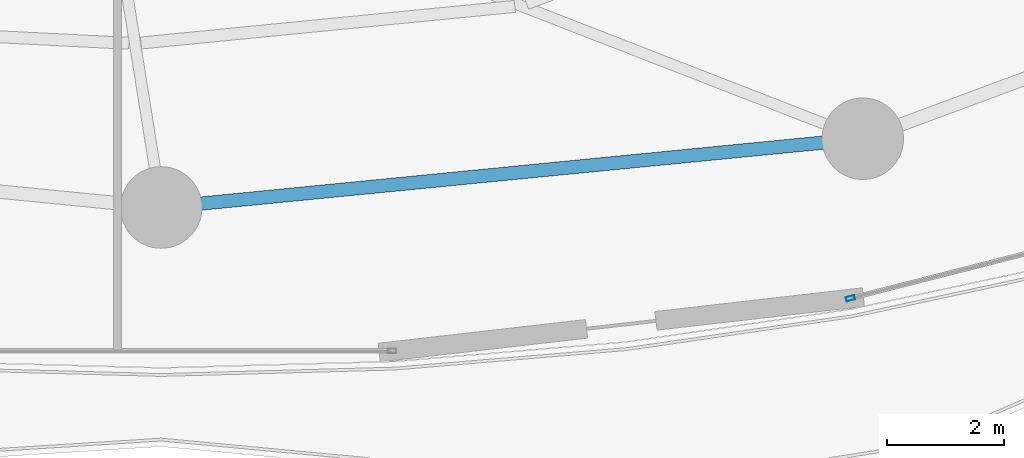
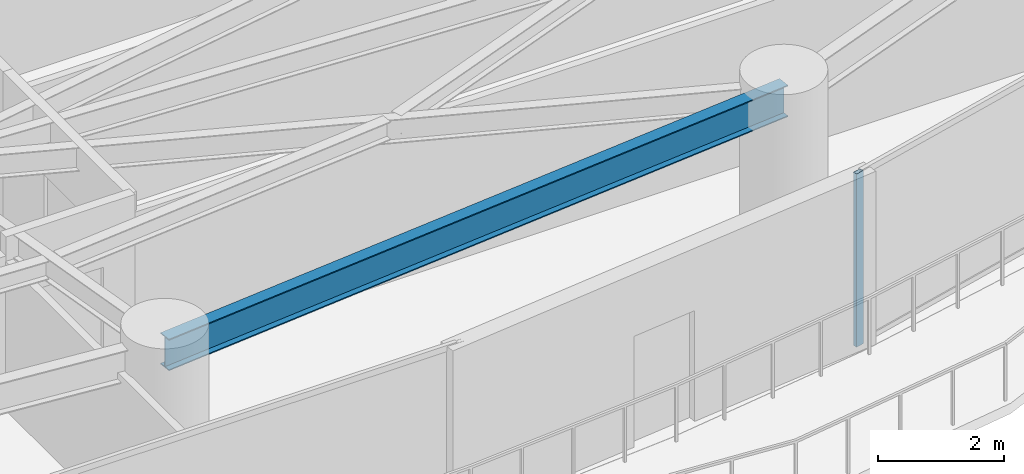
# One storey, part 11 of 33: 1 beam, 1 member, 1 element without a shape of its own.
"""IFC4 building model written with IfcOpenShell, lengths in metres."""

from ifc_helpers import new_model, si_unit, direction, frame, origin, origin_2d, place, context, subcontext, project, spatial, hollow_rectangle, i_section, extrude, material, layer, layer_set, material_profile, profile_set, type_object, element, aggregate, save


model = new_model("IFC4")

# Units and contexts
model_context = context("Model", 3, precision=1e-05, world=origin(), true_north=direction((0.0, 1.0)))
body_context = subcontext(model_context, "Body", "Model", "MODEL_VIEW")
ifc_project = project(units=[si_unit("LENGTHUNIT", "METRE"), si_unit("AREAUNIT", "SQUARE_METRE"), si_unit("VOLUMEUNIT", "CUBIC_METRE"), si_unit("PLANEANGLEUNIT", "RADIAN"), si_unit("MASSUNIT", "GRAM", prefix="KILO")], contexts=[model_context])

# Site, building, storey
site_placement = place(None, origin())
site = spatial("IfcSite", under=ifc_project, at=site_placement, CompositionType="ELEMENT")
building_placement = place(site_placement, origin())
building = spatial("IfcBuilding", under=site, at=building_placement, Name="Kazevale Care Tower and Concert Hall", CompositionType="ELEMENT")
storey_placement = place(building_placement, frame((0.0, 0.0, 45.60009765625)))
storey = spatial("IfcBuildingStorey", under=building, at=storey_placement, Name="L11", CompositionType="ELEMENT", Elevation=45.60009765625)

# Curtain wall, member
ifc_material_1 = material(Name="Aluminium 6063-T6 and Low-E Glass", Category="aluminium")
ifc_layer = layer(ifc_material_1, 0.179931640625)
ifc_layer_set = layer_set([ifc_layer], Name="Aluminium 6063-T6 and Low-E Glass")
curtain_wall_type = type_object("IfcCurtainWallType", Name="Sheltered Concave Balcony Curtain Wall CW-5", PredefinedType="NOTDEFINED", material=ifc_layer_set)
curtain_wall_placement = place(storey_placement, origin())
curtain_wall = element("IfcCurtainWall", 1, at=curtain_wall_placement, inside=storey, type_object=curtain_wall_type, Name="cw:L11:f04", PredefinedType="NOTDEFINED")
ifc_material_2 = material(Name="Aluminium 6063-T6", Category="aluminium")
ifc_material_profile_1 = material_profile(ifc_material_2, hollow_rectangle(XDim=0.074951171875, YDim=0.14990234375, WallThickness=0.00390625, at=origin_2d()), Name="ALU75x150x4")
ifc_profile_set_1 = profile_set([ifc_material_profile_1], Name="Aluminium 6063-T6")
member_type = type_object("IfcMemberType", Name="CW-5 Mullion ALU75x150x4", PredefinedType="MULLION", material=ifc_profile_set_1)
member_placement = place(storey_placement, frame((56.828369140625, 15.791259765625, 0.0), z_axis=(0.0, 0.0, 1.0), x_axis=(0.247221864936, -0.968958899798, 0.0)))
member = element("IfcMember", 2, at=member_placement, type_object=member_type, Name="CW-5 mullion 2", PredefinedType="MULLION", context=body_context, shape_type="SweptSolid", body=[
    extrude(hollow_rectangle(XDim=0.074951171875, YDim=0.14990234375, WallThickness=0.00390625, at=origin_2d()), origin(), (0.0, 0.0, 1.0), 3.35986328125),
])
aggregate(curtain_wall, [member])

# Beam
ifc_material_3 = material(Name="Steel ASTM A572 Gr 50", Category="steel")
ifc_material_profile_2 = material_profile(ifc_material_3, i_section(OverallWidth=0.22900390625, OverallDepth=0.612060546875, WebThickness=0.011962890625, FlangeThickness=0.01953125, at=origin_2d()), Name="W610x125")
ifc_profile_set_2 = profile_set([ifc_material_profile_2], Name="Steel ASTM A572 Gr 50")
beam_type = type_object("IfcBeamType", Name="Ring Spandrel Beam W610x125", PredefinedType="SPANDREL", material=ifc_profile_set_2)
beam_placement = place(storey_placement, frame((45.0, 17.35009765625, 3.053955078125), z_axis=(0.995232251602, 0.09753340644, 0.0), x_axis=(-0.09753340644, 0.995232251602, 0.0)))
element("IfcBeam", 3, at=beam_placement, inside=storey, type_object=beam_type, Name="beam:L11:ring:13", PredefinedType="SPANDREL", context=body_context, shape_type="SweptSolid", body=[
    extrude(i_section(OverallWidth=0.22900390625, OverallDepth=0.612060546875, WebThickness=0.011962890625, FlangeThickness=0.01953125, at=origin_2d()), origin(), (0.0, 0.0, 1.0), 12.09765625),
])

save(model, "model.ifc")
